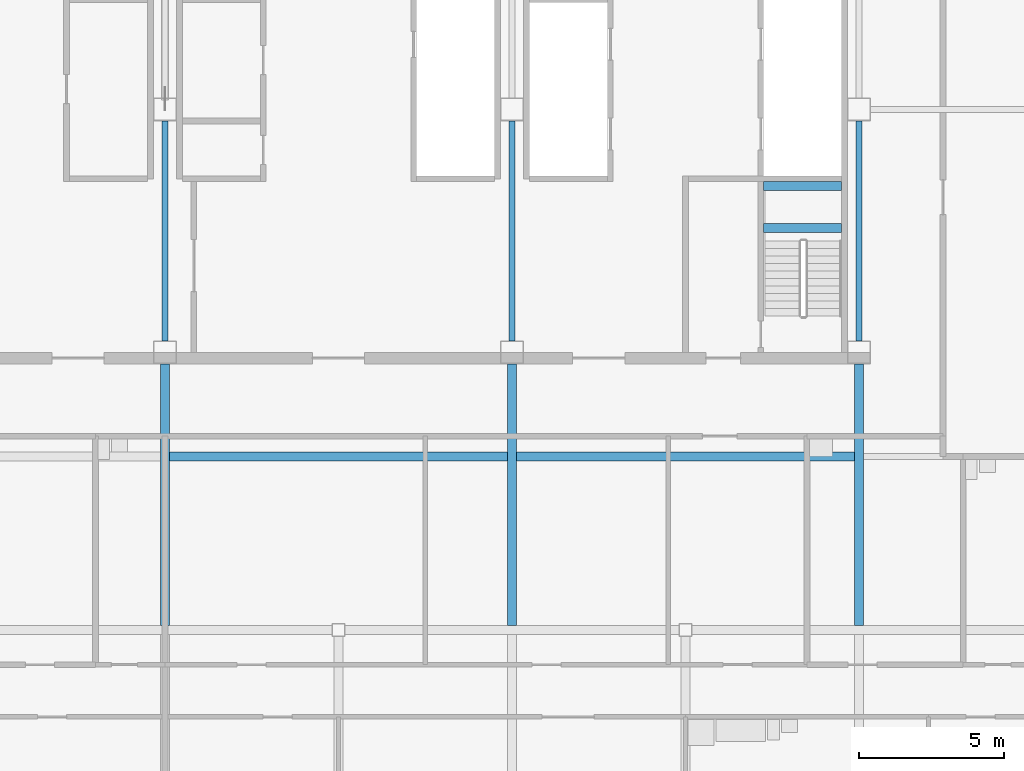
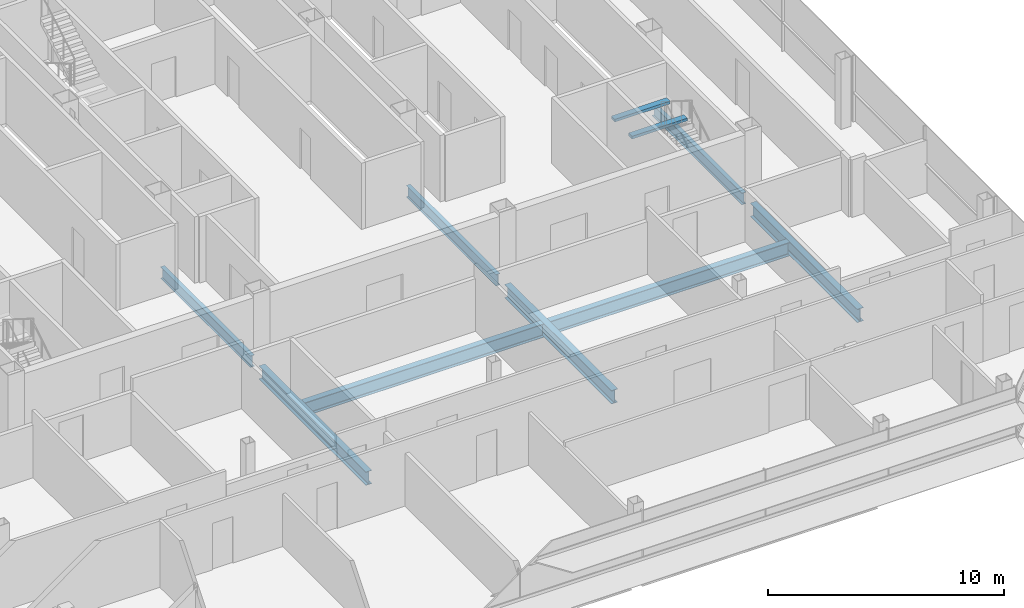
# One storey, part 12 of 27: 10 beams.
"""IFC4 building model written with IfcOpenShell, lengths in metres."""

from ifc_helpers import new_model, si_unit, direction, frame, origin, origin_2d, place, context, subcontext, project, spatial, rectangle, i_section, extrude, material, material_profile, profile_set, type_object, element, save


model = new_model("IFC4")

# Units and contexts
model_context = context("Model", 3, precision=1e-05, world=origin(), true_north=direction((0.0, 1.0)))
body_context = subcontext(model_context, "Body", "Model", "MODEL_VIEW")
ifc_project = project(units=[si_unit("LENGTHUNIT", "METRE"), si_unit("AREAUNIT", "SQUARE_METRE"), si_unit("VOLUMEUNIT", "CUBIC_METRE"), si_unit("PLANEANGLEUNIT", "RADIAN"), si_unit("MASSUNIT", "GRAM", prefix="KILO")], contexts=[model_context])

# Site, building, storey
site_placement = place(None, origin())
site = spatial("IfcSite", under=ifc_project, at=site_placement, CompositionType="ELEMENT")
building_placement = place(site_placement, origin())
building = spatial("IfcBuilding", under=site, at=building_placement, Name="Sorahane Residences", CompositionType="ELEMENT")
storey_placement = place(building_placement, frame((0.0, 0.0, 316.0)))
storey = spatial("IfcBuildingStorey", under=building, at=storey_placement, Name="L75", CompositionType="ELEMENT", Elevation=316.0)

# Beams
ifc_material_1 = material(Name="Concrete C40", Category="concrete")
ifc_material_profile_1 = material_profile(ifc_material_1, rectangle(XDim=0.300048828125, YDim=0.139892578125, at=origin_2d()), Name="300x140")
ifc_profile_set_1 = profile_set([ifc_material_profile_1], Name="Concrete C40")
beam_type_1 = type_object("IfcBeamType", Name="RC landing beam 300 x 140 Concrete C40", PredefinedType="BEAM", material=ifc_profile_set_1)
for number, where, z_axis, x_axis, name in (
    (1, (38.699951171875, 25.89990234375, 1.530029296875), (1.0, 0.0, 0.0), (0.0, 1.0, 0.0), "Landing beam"),
    (2, (38.699951171875, 27.35009765625, 1.530029296875), (1.0, 0.0, 0.0), (0.0, 1.0, 0.0), "Landing beam"),
):
    element("IfcBeam", number, at=place(storey_placement, frame(where, z_axis=z_axis, x_axis=x_axis)), inside=storey, type_object=beam_type_1, Name=name, PredefinedType="BEAM", context=body_context, shape_type="SweptSolid", body=[
        extrude(rectangle(XDim=0.300048828125, YDim=0.139892578125, at=origin_2d()), origin(), (0.0, 0.0, 1.0), 2.699951171875),
    ])
ifc_material_2 = material(Name="Steel Q355B", Category="steel")
ifc_material_profile_2 = material_profile(ifc_material_2, i_section(OverallWidth=0.199951171875, OverallDepth=0.60009765625, WebThickness=0.010986328125, FlangeThickness=0.01708984375, FilletRadius=0.02392578125, at=origin_2d()), Name="HN 600x200x11x17")
ifc_profile_set_2 = profile_set([ifc_material_profile_2], Name="Steel Q355B")
beam_type_2 = type_object("IfcBeamType", Name="Steel floor beam HN 600x200x11x17 Q355B", PredefinedType="BEAM", material=ifc_profile_set_2)
for number, where, z_axis, x_axis, name in (
    (3, (18.0, 22.0, -0.47998046875), (0.0, 1.0, 0.0), (-1.0, 0.0, 0.0), "Beam L75 042"),
    (4, (30.0, 22.0, -0.47998046875), (0.0, 1.0, 0.0), (-1.0, 0.0, 0.0), "Beam L75 050"),
    (5, (42.0, 22.0, -0.47998046875), (0.0, 1.0, 0.0), (-1.0, 0.0, 0.0), "Beam L75 058"),
):
    element("IfcBeam", number, at=place(storey_placement, frame(where, z_axis=z_axis, x_axis=x_axis)), inside=storey, type_object=beam_type_2, Name=name, PredefinedType="BEAM", context=body_context, shape_type="SweptSolid", body=[
        extrude(i_section(OverallWidth=0.199951171875, OverallDepth=0.60009765625, WebThickness=0.010986328125, FlangeThickness=0.01708984375, FilletRadius=0.02392578125, at=origin_2d()), origin(), (0.0, 0.0, 1.0), 7.60009765625),
    ])
ifc_material_3 = material(Name="Steel Q355B", Category="steel")
ifc_material_profile_3 = material_profile(ifc_material_3, i_section(OverallWidth=0.300048828125, OverallDepth=0.699951171875, WebThickness=0.012939453125, FlangeThickness=0.02392578125, FilletRadius=0.028076171875, at=origin_2d()), Name="HN 700x300x13x24")
ifc_profile_set_3 = profile_set([ifc_material_profile_3], Name="Steel Q355B")
beam_type_3 = type_object("IfcBeamType", Name="Steel floor beam HN 700x300x13x24 Q355B", PredefinedType="BEAM", material=ifc_profile_set_3)
for number, where, z_axis, x_axis, name in (
    (6, (18.0, 12.14990234375, -0.530029296875), (0.0, 1.0, 0.0), (-1.0, 0.0, 0.0), "Beam L75 041"),
    (7, (30.0, 12.14990234375, -0.530029296875), (0.0, 1.0, 0.0), (-1.0, 0.0, 0.0), "Beam L75 049"),
    (8, (42.0, 12.14990234375, -0.530029296875), (0.0, 1.0, 0.0), (-1.0, 0.0, 0.0), "Beam L75 057"),
):
    element("IfcBeam", number, at=place(storey_placement, frame(where, z_axis=z_axis, x_axis=x_axis)), inside=storey, type_object=beam_type_3, Name=name, PredefinedType="BEAM", context=body_context, shape_type="SweptSolid", body=[
        extrude(i_section(OverallWidth=0.300048828125, OverallDepth=0.699951171875, WebThickness=0.012939453125, FlangeThickness=0.02392578125, FilletRadius=0.028076171875, at=origin_2d()), origin(), (0.0, 0.0, 1.0), 9.050048828125),
    ])
for number, where, z_axis, x_axis, name in (
    (9, (18.14990234375, 18.0, -0.530029296875), (1.0, 0.0, 0.0), (0.0, 1.0, 0.0), "Beam L75 080"),
    (10, (30.14990234375, 18.0, -0.530029296875), (1.0, 0.0, 0.0), (0.0, 1.0, 0.0), "Beam L75 081"),
):
    element("IfcBeam", number, at=place(storey_placement, frame(where, z_axis=z_axis, x_axis=x_axis)), inside=storey, type_object=beam_type_3, Name=name, PredefinedType="BEAM", context=body_context, shape_type="SweptSolid", body=[
        extrude(i_section(OverallWidth=0.300048828125, OverallDepth=0.699951171875, WebThickness=0.012939453125, FlangeThickness=0.02392578125, FilletRadius=0.028076171875, at=origin_2d()), origin(), (0.0, 0.0, 1.0), 11.7001953125),
    ])

save(model, "model.ifc")
